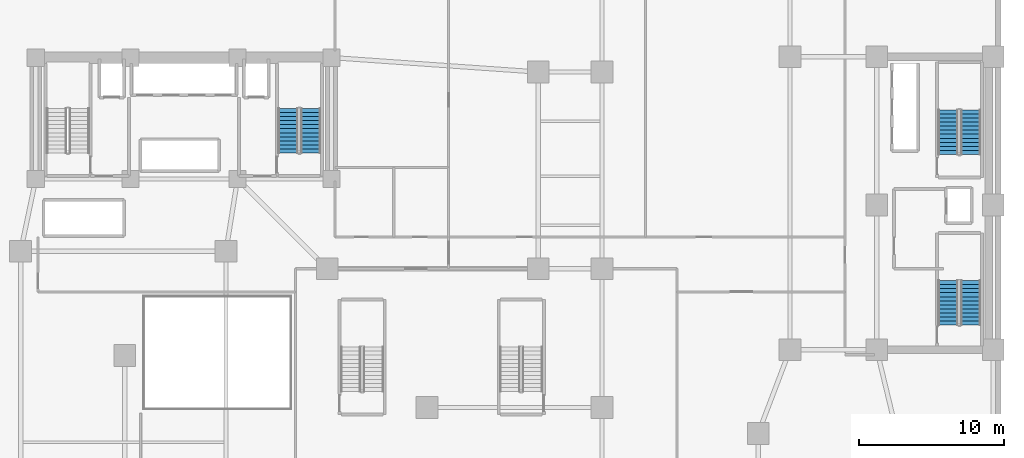
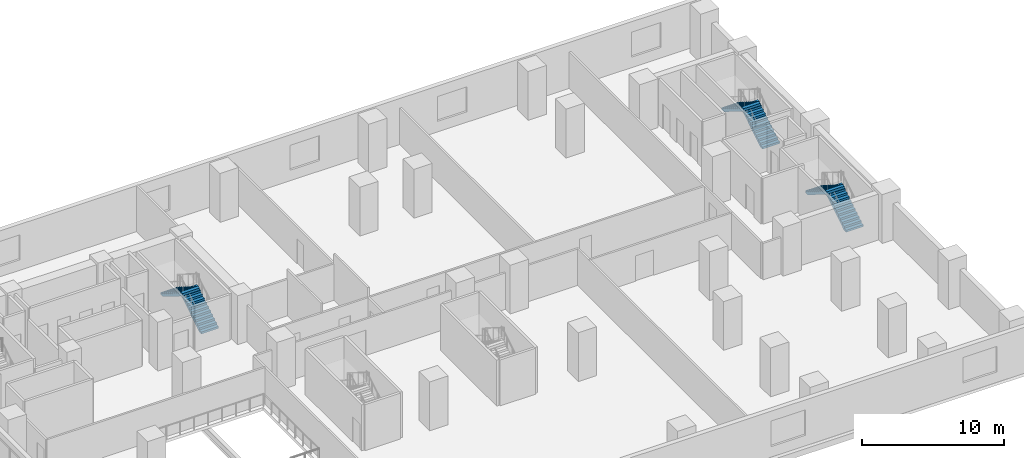
# One storey, part 11 of 14: 6 stair flights, 3 elements without a shape of their own.
"""IFC4 building model written with IfcOpenShell, lengths in metres."""

from ifc_helpers import new_model, si_unit, direction, frame, origin, place, context, subcontext, project, spatial, polyline, outline, extrude, material, type_object, element, aggregate, save


model = new_model("IFC4")

# Units and contexts
model_context = context("Model", 3, precision=1e-05, world=origin(), true_north=direction((0.0, 1.0)))
body_context = subcontext(model_context, "Body", "Model", "MODEL_VIEW")
ifc_project = project(units=[si_unit("LENGTHUNIT", "METRE"), si_unit("AREAUNIT", "SQUARE_METRE"), si_unit("VOLUMEUNIT", "CUBIC_METRE"), si_unit("PLANEANGLEUNIT", "RADIAN"), si_unit("MASSUNIT", "GRAM", prefix="KILO")], contexts=[model_context])

# Site, building, storey
site_placement = place(None, origin())
site = spatial("IfcSite", under=ifc_project, at=site_placement, CompositionType="ELEMENT")
building_placement = place(site_placement, origin())
building = spatial("IfcBuilding", under=site, at=building_placement, Name="Kuzgunbayir Cultural Tower", CompositionType="ELEMENT")
storey_placement = place(building_placement, frame((0.0, 0.0, 8.800048828125)))
storey = spatial("IfcBuildingStorey", under=building, at=storey_placement, Name="L02", CompositionType="ELEMENT", Elevation=8.800048828125)

# Stair, stair flights
ifc_material = material(Name="Concrete C40/50", Category="concrete")
stair_type = type_object("IfcStairType", Name="STR-EXIT-CORE", PredefinedType="HALF_TURN_STAIR", material=ifc_material)
stair_1_placement = place(storey_placement, origin())
stair_1 = element("IfcStair", 1, at=stair_1_placement, inside=storey, type_object=stair_type, Name="L02 ST-2", PredefinedType="HALF_TURN_STAIR")
stair_flight_type = type_object("IfcStairFlightType", Name="STRF-RC-140", PredefinedType="STRAIGHT", material=ifc_material)
stair_flight_1_placement = place(storey_placement, frame((25.4599609375, 35.60009765625, 0.0), z_axis=(0.0, 0.0, 1.0), x_axis=(0.0, 1.0, 0.0)))
stair_flight_1 = element("IfcStairFlight", 2, at=stair_flight_1_placement, type_object=stair_flight_type, Name="ST-2 flight 1", NumberOfRisers=12, NumberOfTreads=11, PredefinedType="STRAIGHT", RiserHeight=0.175, TreadLength=0.28, context=body_context, shape_type="SweptSolid", body=[
    extrude(outline(polyline([(0.0, 0.0), (0.0, 0.175048828125), (0.280029296875, 0.175048828125), (0.280029296875, 0.35009765625), (0.56005859375, 0.35009765625), (0.56005859375, 0.52490234375), (0.840087890625, 0.52490234375), (0.840087890625, 0.699951171875), (1.1201171875, 0.699951171875), (1.1201171875, 0.875), (1.39990234375, 0.875), (1.39990234375, 1.050048828125), (1.679931640625, 1.050048828125), (1.679931640625, 1.22509765625), (1.9599609375, 1.22509765625), (1.9599609375, 1.39990234375), (2.239990234375, 1.39990234375), (2.239990234375, 1.574951171875), (2.52001953125, 1.574951171875), (2.52001953125, 1.75), (2.800048828125, 1.75), (2.800048828125, 1.925048828125), (3.080078125, 1.925048828125), (3.080078125, 2.10009765625), (3.080078125, 1.712890625), (0.339599609375, 0.0), (0.0, 0.0)])), frame((0.0, 0.699951171875, 0.0), z_axis=(0.0, -1.0, 0.0), x_axis=(1.0, 0.0, 0.0)), (0.0, 0.0, 1.0), 1.39990234375),
])
stair_flight_2_placement = place(storey_placement, frame((23.89990234375, 38.679931640625, 2.099853515625), z_axis=(0.0, 0.0, 1.0), x_axis=(0.0, -1.0, 0.0)))
stair_flight_2 = element("IfcStairFlight", 3, at=stair_flight_2_placement, type_object=stair_flight_type, Name="ST-2 flight 2", NumberOfRisers=12, NumberOfTreads=11, PredefinedType="STRAIGHT", RiserHeight=0.175, TreadLength=0.28, context=body_context, shape_type="SweptSolid", body=[
    extrude(outline(polyline([(0.0, 0.0), (0.0, 0.175048828125), (0.280029296875, 0.175048828125), (0.280029296875, 0.35009765625), (0.56005859375, 0.35009765625), (0.56005859375, 0.52490234375), (0.840087890625, 0.52490234375), (0.840087890625, 0.699951171875), (1.1201171875, 0.699951171875), (1.1201171875, 0.875), (1.39990234375, 0.875), (1.39990234375, 1.050048828125), (1.679931640625, 1.050048828125), (1.679931640625, 1.22509765625), (1.9599609375, 1.22509765625), (1.9599609375, 1.39990234375), (2.239990234375, 1.39990234375), (2.239990234375, 1.574951171875), (2.52001953125, 1.574951171875), (2.52001953125, 1.75), (2.800048828125, 1.75), (2.800048828125, 1.925048828125), (3.080078125, 1.925048828125), (3.080078125, 2.10009765625), (3.080078125, 1.712890625), (0.339599609375, 0.0), (0.0, 0.0)])), frame((0.0, 0.699951171875, 0.0), z_axis=(0.0, -1.0, 0.0), x_axis=(1.0, 0.0, 0.0)), (0.0, 0.0, 1.0), 1.39990234375),
])
aggregate(stair_1, [stair_flight_1, stair_flight_2])

stair_2_placement = place(storey_placement, origin())
stair_2 = element("IfcStair", 4, at=stair_2_placement, inside=storey, type_object=stair_type, Name="L02 ST-3", PredefinedType="HALF_TURN_STAIR")
stair_flight_3_placement = place(storey_placement, frame((71.10009765625, 23.699951171875, 0.0), z_axis=(0.0, 0.0, 1.0), x_axis=(0.0, 1.0, 0.0)))
stair_flight_3 = element("IfcStairFlight", 5, at=stair_flight_3_placement, type_object=stair_flight_type, Name="ST-3 flight 1", NumberOfRisers=12, NumberOfTreads=11, PredefinedType="STRAIGHT", RiserHeight=0.175, TreadLength=0.28, context=body_context, shape_type="SweptSolid", body=[
    extrude(outline(polyline([(0.0, 0.0), (0.0, 0.175048828125), (0.280029296875, 0.175048828125), (0.280029296875, 0.35009765625), (0.56005859375, 0.35009765625), (0.56005859375, 0.52490234375), (0.840087890625, 0.52490234375), (0.840087890625, 0.699951171875), (1.1201171875, 0.699951171875), (1.1201171875, 0.875), (1.39990234375, 0.875), (1.39990234375, 1.050048828125), (1.679931640625, 1.050048828125), (1.679931640625, 1.22509765625), (1.9599609375, 1.22509765625), (1.9599609375, 1.39990234375), (2.239990234375, 1.39990234375), (2.239990234375, 1.574951171875), (2.52001953125, 1.574951171875), (2.52001953125, 1.75), (2.800048828125, 1.75), (2.800048828125, 1.925048828125), (3.080078125, 1.925048828125), (3.080078125, 2.10009765625), (3.080078125, 1.712890625), (0.339599609375, 0.0), (0.0, 0.0)])), frame((0.0, 0.699951171875, 0.0), z_axis=(0.0, -1.0, 0.0), x_axis=(1.0, 0.0, 0.0)), (0.0, 0.0, 1.0), 1.39990234375),
])
stair_flight_4_placement = place(storey_placement, frame((69.5400390625, 26.780029296875, 2.099853515625), z_axis=(0.0, 0.0, 1.0), x_axis=(0.0, -1.0, 0.0)))
stair_flight_4 = element("IfcStairFlight", 6, at=stair_flight_4_placement, type_object=stair_flight_type, Name="ST-3 flight 2", NumberOfRisers=12, NumberOfTreads=11, PredefinedType="STRAIGHT", RiserHeight=0.175, TreadLength=0.28, context=body_context, shape_type="SweptSolid", body=[
    extrude(outline(polyline([(0.0, 0.0), (0.0, 0.175048828125), (0.280029296875, 0.175048828125), (0.280029296875, 0.35009765625), (0.56005859375, 0.35009765625), (0.56005859375, 0.52490234375), (0.840087890625, 0.52490234375), (0.840087890625, 0.699951171875), (1.1201171875, 0.699951171875), (1.1201171875, 0.875), (1.39990234375, 0.875), (1.39990234375, 1.050048828125), (1.679931640625, 1.050048828125), (1.679931640625, 1.22509765625), (1.9599609375, 1.22509765625), (1.9599609375, 1.39990234375), (2.239990234375, 1.39990234375), (2.239990234375, 1.574951171875), (2.52001953125, 1.574951171875), (2.52001953125, 1.75), (2.800048828125, 1.75), (2.800048828125, 1.925048828125), (3.080078125, 1.925048828125), (3.080078125, 2.10009765625), (3.080078125, 1.712890625), (0.339599609375, 0.0), (0.0, 0.0)])), frame((0.0, 0.699951171875, 0.0), z_axis=(0.0, -1.0, 0.0), x_axis=(1.0, 0.0, 0.0)), (0.0, 0.0, 1.0), 1.39990234375),
])
aggregate(stair_2, [stair_flight_3, stair_flight_4])

stair_3_placement = place(storey_placement, origin())
stair_3 = element("IfcStair", 7, at=stair_3_placement, inside=storey, type_object=stair_type, Name="L02 ST-4", PredefinedType="HALF_TURN_STAIR")
stair_flight_5_placement = place(storey_placement, frame((71.10009765625, 35.5, 0.0), z_axis=(0.0, 0.0, 1.0), x_axis=(0.0, 1.0, 0.0)))
stair_flight_5 = element("IfcStairFlight", 8, at=stair_flight_5_placement, type_object=stair_flight_type, Name="ST-4 flight 1", NumberOfRisers=12, NumberOfTreads=11, PredefinedType="STRAIGHT", RiserHeight=0.175, TreadLength=0.28, context=body_context, shape_type="SweptSolid", body=[
    extrude(outline(polyline([(0.0, 0.0), (0.0, 0.175048828125), (0.280029296875, 0.175048828125), (0.280029296875, 0.35009765625), (0.56005859375, 0.35009765625), (0.56005859375, 0.52490234375), (0.840087890625, 0.52490234375), (0.840087890625, 0.699951171875), (1.1201171875, 0.699951171875), (1.1201171875, 0.875), (1.39990234375, 0.875), (1.39990234375, 1.050048828125), (1.679931640625, 1.050048828125), (1.679931640625, 1.22509765625), (1.9599609375, 1.22509765625), (1.9599609375, 1.39990234375), (2.239990234375, 1.39990234375), (2.239990234375, 1.574951171875), (2.52001953125, 1.574951171875), (2.52001953125, 1.75), (2.800048828125, 1.75), (2.800048828125, 1.925048828125), (3.080078125, 1.925048828125), (3.080078125, 2.10009765625), (3.080078125, 1.712890625), (0.339599609375, 0.0), (0.0, 0.0)])), frame((0.0, 0.699951171875, 0.0), z_axis=(0.0, -1.0, 0.0), x_axis=(1.0, 0.0, 0.0)), (0.0, 0.0, 1.0), 1.39990234375),
])
stair_flight_6_placement = place(storey_placement, frame((69.5400390625, 38.580078125, 2.099853515625), z_axis=(0.0, 0.0, 1.0), x_axis=(0.0, -1.0, 0.0)))
stair_flight_6 = element("IfcStairFlight", 9, at=stair_flight_6_placement, type_object=stair_flight_type, Name="ST-4 flight 2", NumberOfRisers=12, NumberOfTreads=11, PredefinedType="STRAIGHT", RiserHeight=0.175, TreadLength=0.28, context=body_context, shape_type="SweptSolid", body=[
    extrude(outline(polyline([(0.0, 0.0), (0.0, 0.175048828125), (0.280029296875, 0.175048828125), (0.280029296875, 0.35009765625), (0.56005859375, 0.35009765625), (0.56005859375, 0.52490234375), (0.840087890625, 0.52490234375), (0.840087890625, 0.699951171875), (1.1201171875, 0.699951171875), (1.1201171875, 0.875), (1.39990234375, 0.875), (1.39990234375, 1.050048828125), (1.679931640625, 1.050048828125), (1.679931640625, 1.22509765625), (1.9599609375, 1.22509765625), (1.9599609375, 1.39990234375), (2.239990234375, 1.39990234375), (2.239990234375, 1.574951171875), (2.52001953125, 1.574951171875), (2.52001953125, 1.75), (2.800048828125, 1.75), (2.800048828125, 1.925048828125), (3.080078125, 1.925048828125), (3.080078125, 2.10009765625), (3.080078125, 1.712890625), (0.339599609375, 0.0), (0.0, 0.0)])), frame((0.0, 0.699951171875, 0.0), z_axis=(0.0, -1.0, 0.0), x_axis=(1.0, 0.0, 0.0)), (0.0, 0.0, 1.0), 1.39990234375),
])
aggregate(stair_3, [stair_flight_5, stair_flight_6])

save(model, "model.ifc")
